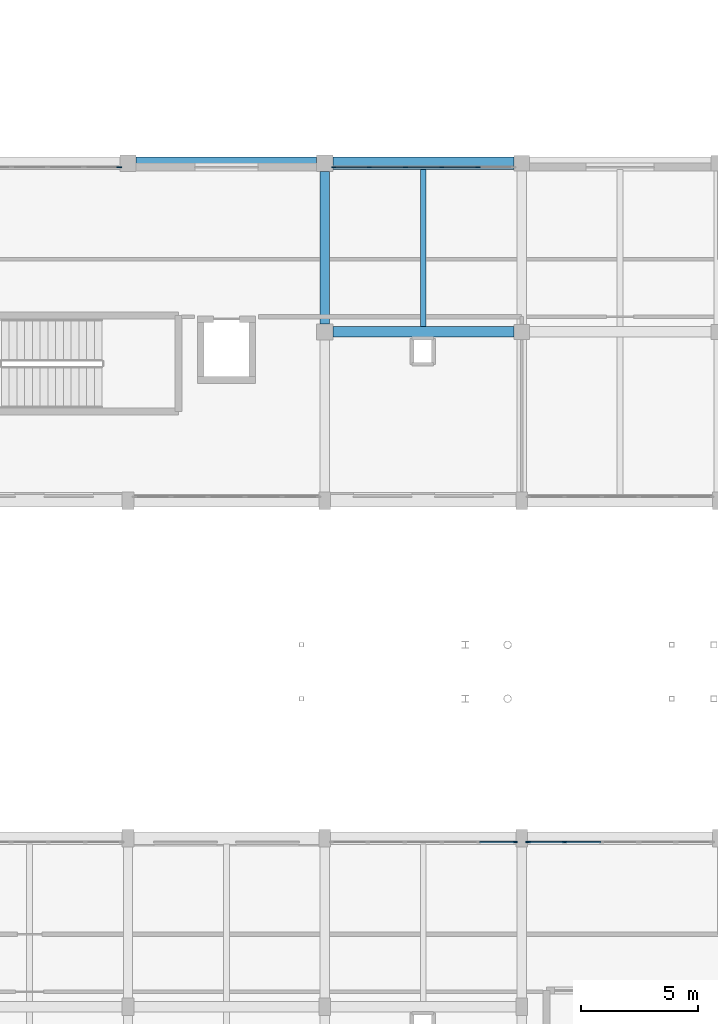
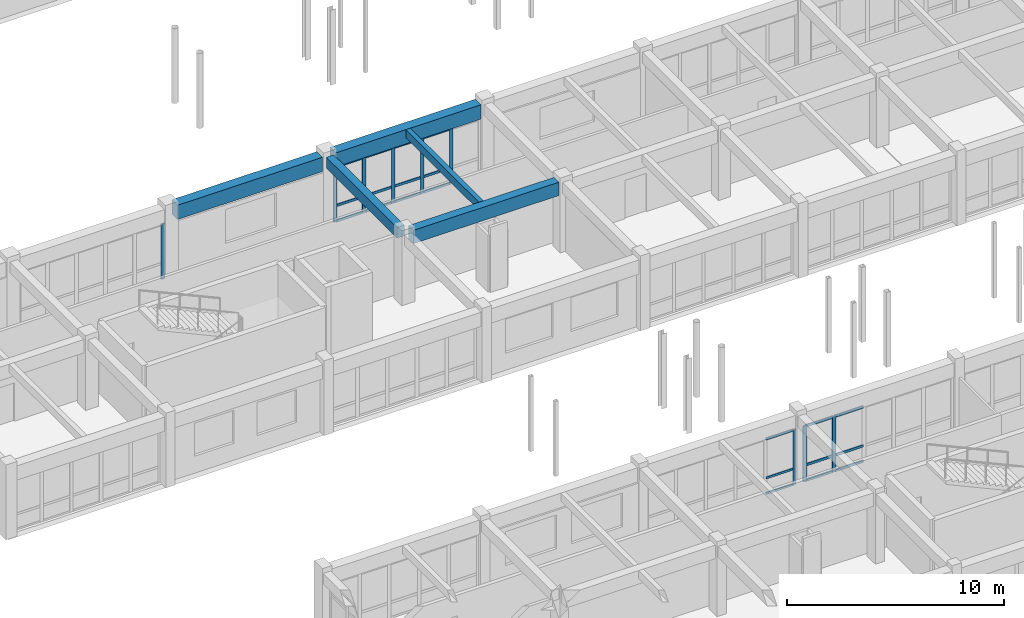
# One storey, part 56 of 147: 30 members, 5 beams, 4 elements without a shape of their own.
"""IFC4 building model written with IfcOpenShell, lengths in metres."""

from ifc_helpers import new_model, si_unit, direction, frame, origin, origin_2d, place, context, subcontext, project, spatial, rectangle, extrude, material, material_profile, profile_set, type_object, element, aggregate, save


model = new_model("IFC4")

# Units and contexts
model_context = context("Model", 3, precision=1e-05, world=origin(), true_north=direction((0.0, 1.0)))
body_context = subcontext(model_context, "Body", "Model", "MODEL_VIEW")
ifc_project = project(units=[si_unit("LENGTHUNIT", "METRE"), si_unit("AREAUNIT", "SQUARE_METRE"), si_unit("VOLUMEUNIT", "CUBIC_METRE"), si_unit("PLANEANGLEUNIT", "RADIAN"), si_unit("MASSUNIT", "GRAM", prefix="KILO")], contexts=[model_context])

# Site, building, storey
site_placement = place(None, origin())
site = spatial("IfcSite", under=ifc_project, at=site_placement, CompositionType="ELEMENT")
building_placement = place(site_placement, origin())
building = spatial("IfcBuilding", under=site, at=building_placement, Name="Malvenik Polytechnic", CompositionType="ELEMENT")
storey_placement = place(building_placement, frame((0.0, 0.0, 5.10009765625)))
storey = spatial("IfcBuildingStorey", under=building, at=storey_placement, Name="L01", CompositionType="ELEMENT", Elevation=5.10009765625)

# Curtain wall, member
ifc_material_1 = material(Name="Anodised aluminium 6060-T6", Category="aluminium")
curtain_wall_type = type_object("IfcCurtainWallType", Name="ARC-CW-CW-02", PredefinedType="NOTDEFINED", material=ifc_material_1)
curtain_wall_1_placement = place(storey_placement, origin())
curtain_wall_1 = element("IfcCurtainWall", 1, at=curtain_wall_1_placement, inside=storey, type_object=curtain_wall_type, Name="Unitised Curtain Wall CW-02 L01 #125", PredefinedType="NOTDEFINED")
ifc_material_2 = material(Name="Anodised aluminium", Category="aluminium")
ifc_material_profile_1 = material_profile(ifc_material_2, rectangle(XDim=0.06005859375, YDim=0.159912109375, at=origin_2d()), Name="ALU MULLION 60x160")
ifc_profile_set_1 = profile_set([ifc_material_profile_1], Name="Anodised aluminium")
member_type_1 = type_object("IfcMemberType", Name="ARC-CWM-160", PredefinedType="MULLION", material=ifc_profile_set_1)
member_1_placement = place(storey_placement, frame((33.322021484375, 64.6298828125, 0.0), z_axis=(0.0, 0.0, 1.0), x_axis=(0.0, 1.0, 0.0)))
member_1 = element("IfcMember", 2, at=member_1_placement, type_object=member_type_1, Name="CW-02 mullion 6", PredefinedType="MULLION", context=body_context, shape_type="SweptSolid", body=[
    extrude(rectangle(XDim=0.06005859375, YDim=0.159912109375, at=origin_2d()), origin(), (0.0, 0.0, 1.0), 3.10986328125),
])

# Curtain wall, members
curtain_wall_2_placement = place(storey_placement, origin())
curtain_wall_2 = element("IfcCurtainWall", 3, at=curtain_wall_2_placement, inside=storey, type_object=curtain_wall_type, Name="Unitised Curtain Wall CW-02 L01 #34", PredefinedType="NOTDEFINED")
ifc_material_profile_2 = material_profile(ifc_material_2, rectangle(XDim=0.06005859375, YDim=0.179931640625, at=origin_2d()), Name="ALU MULLION 60x180")
ifc_profile_set_2 = profile_set([ifc_material_profile_2], Name="Anodised aluminium")
member_type_2 = type_object("IfcMemberType", Name="ARC-CWM-180", PredefinedType="MULLION", material=ifc_profile_set_2)
member_2_placement = place(storey_placement, frame((25.577880859375, 93.429931640625, 0.0), z_axis=(0.0, 0.0, 1.0), x_axis=(0.0, 1.0, 0.0)))
member_2 = element("IfcMember", 4, at=member_2_placement, type_object=member_type_2, Name="CW-02 mullion 1", PredefinedType="MULLION", context=body_context, shape_type="SweptSolid", body=[
    extrude(rectangle(XDim=0.06005859375, YDim=0.179931640625, at=origin_2d()), origin(), (0.0, 0.0, 1.0), 3.10986328125),
])
member_3_placement = place(storey_placement, frame((27.09375, 93.429931640625, 0.0), z_axis=(0.0, 0.0, 1.0), x_axis=(0.0, 1.0, 0.0)))
member_3 = element("IfcMember", 5, at=member_3_placement, type_object=member_type_2, Name="CW-02 mullion 2", PredefinedType="MULLION", context=body_context, shape_type="SweptSolid", body=[
    extrude(rectangle(XDim=0.06005859375, YDim=0.179931640625, at=origin_2d()), origin(), (0.0, 0.0, 1.0), 3.10986328125),
])
member_4_placement = place(storey_placement, frame((28.6396484375, 93.429931640625, 0.0), z_axis=(0.0, 0.0, 1.0), x_axis=(0.0, 1.0, 0.0)))
member_4 = element("IfcMember", 6, at=member_4_placement, type_object=member_type_2, Name="CW-02 mullion 3", PredefinedType="MULLION", context=body_context, shape_type="SweptSolid", body=[
    extrude(rectangle(XDim=0.06005859375, YDim=0.179931640625, at=origin_2d()), origin(), (0.0, 0.0, 1.0), 3.10986328125),
])
member_5_placement = place(storey_placement, frame((30.185302734375, 93.429931640625, 0.0), z_axis=(0.0, 0.0, 1.0), x_axis=(0.0, 1.0, 0.0)))
member_5 = element("IfcMember", 7, at=member_5_placement, type_object=member_type_2, Name="CW-02 mullion 4", PredefinedType="MULLION", context=body_context, shape_type="SweptSolid", body=[
    extrude(rectangle(XDim=0.06005859375, YDim=0.179931640625, at=origin_2d()), origin(), (0.0, 0.0, 1.0), 3.10986328125),
])
member_6_placement = place(storey_placement, frame((31.731201171875, 93.429931640625, 0.0), z_axis=(0.0, 0.0, 1.0), x_axis=(0.0, 1.0, 0.0)))
member_6 = element("IfcMember", 8, at=member_6_placement, type_object=member_type_2, Name="CW-02 mullion 5", PredefinedType="MULLION", context=body_context, shape_type="SweptSolid", body=[
    extrude(rectangle(XDim=0.06005859375, YDim=0.179931640625, at=origin_2d()), origin(), (0.0, 0.0, 1.0), 3.10986328125),
])

# Curtain wall, member
curtain_wall_3_placement = place(storey_placement, origin())
curtain_wall_3 = element("IfcCurtainWall", 9, at=curtain_wall_3_placement, inside=storey, type_object=curtain_wall_type, Name="Unitised Curtain Wall CW-02 L01 #33", PredefinedType="NOTDEFINED")
ifc_material_profile_3 = material_profile(ifc_material_2, rectangle(XDim=0.06005859375, YDim=0.199951171875, at=origin_2d()), Name="ALU MULLION 60x200")
ifc_profile_set_3 = profile_set([ifc_material_profile_3], Name="Anodised aluminium")
member_type_3 = type_object("IfcMemberType", Name="ARC-CWM-200", PredefinedType="MULLION", material=ifc_profile_set_3)
member_7_placement = place(storey_placement, frame((16.422119140625, 93.429931640625, 0.0), z_axis=(0.0, 0.0, 1.0), x_axis=(0.0, 1.0, 0.0)))
member_7 = element("IfcMember", 10, at=member_7_placement, type_object=member_type_3, Name="CW-02 mullion 6", PredefinedType="MULLION", context=body_context, shape_type="SweptSolid", body=[
    extrude(rectangle(XDim=0.06005859375, YDim=0.199951171875, at=origin_2d()), origin(), (0.0, 0.0, 1.0), 3.10986328125),
])
aggregate(curtain_wall_3, [member_7])

# Curtain wall, members
curtain_wall_4_placement = place(storey_placement, origin())
curtain_wall_4 = element("IfcCurtainWall", 11, at=curtain_wall_4_placement, inside=storey, type_object=curtain_wall_type, Name="Unitised Curtain Wall CW-02 L01 #126", PredefinedType="NOTDEFINED")
member_8_placement = place(storey_placement, frame((33.8779296875, 64.6298828125, 0.0), z_axis=(0.0, 0.0, 1.0), x_axis=(0.0, 1.0, 0.0)))
member_8 = element("IfcMember", 12, at=member_8_placement, type_object=member_type_3, Name="CW-02 mullion 1", PredefinedType="MULLION", context=body_context, shape_type="SweptSolid", body=[
    extrude(rectangle(XDim=0.06005859375, YDim=0.199951171875, at=origin_2d()), origin(), (0.0, 0.0, 1.0), 3.10986328125),
])
member_9_placement = place(storey_placement, frame((35.4287109375, 64.6298828125, 0.0), z_axis=(0.0, 0.0, 1.0), x_axis=(0.0, 1.0, 0.0)))
member_9 = element("IfcMember", 13, at=member_9_placement, type_object=member_type_3, Name="CW-02 mullion 2", PredefinedType="MULLION", context=body_context, shape_type="SweptSolid", body=[
    extrude(rectangle(XDim=0.06005859375, YDim=0.199951171875, at=origin_2d()), origin(), (0.0, 0.0, 1.0), 3.10986328125),
])

# Member
ifc_material_profile_4 = material_profile(ifc_material_2, rectangle(XDim=0.06005859375, YDim=0.1201171875, at=origin_2d()), Name="ALU TRANSOM 60x120")
ifc_profile_set_4 = profile_set([ifc_material_profile_4], Name="Anodised aluminium")
member_type_4 = type_object("IfcMemberType", Name="ARC-CWT-120", PredefinedType="USERDEFINED", material=ifc_profile_set_4)
member_10_placement = place(storey_placement, frame((31.80126953125, 64.6298828125, 0.02978515625), z_axis=(1.0, 0.0, 0.0), x_axis=(0.0, 1.0, 0.0)))
member_10 = element("IfcMember", 14, at=member_10_placement, type_object=member_type_4, Name="CW-02 transom 5.1", ObjectType="TRANSOM", PredefinedType="USERDEFINED", context=body_context, shape_type="SweptSolid", body=[
    extrude(rectangle(XDim=0.06005859375, YDim=0.1201171875, at=origin_2d()), origin(), (0.0, 0.0, 1.0), 1.49072265625),
])

member_11_placement = place(storey_placement, frame((31.80126953125, 64.6298828125, 0.89990234375), z_axis=(1.0, 0.0, 0.0), x_axis=(0.0, 1.0, 0.0)))
member_11 = element("IfcMember", 15, at=member_11_placement, type_object=member_type_4, Name="CW-02 transom 5.2", ObjectType="TRANSOM", PredefinedType="USERDEFINED", context=body_context, shape_type="SweptSolid", body=[
    extrude(rectangle(XDim=0.06005859375, YDim=0.1201171875, at=origin_2d()), origin(), (0.0, 0.0, 1.0), 1.49072265625),
])

member_12_placement = place(storey_placement, frame((31.80126953125, 64.6298828125, 3.079833984375), z_axis=(1.0, 0.0, 0.0), x_axis=(0.0, 1.0, 0.0)))
member_12 = element("IfcMember", 16, at=member_12_placement, type_object=member_type_4, Name="CW-02 transom 5.3", ObjectType="TRANSOM", PredefinedType="USERDEFINED", context=body_context, shape_type="SweptSolid", body=[
    extrude(rectangle(XDim=0.06005859375, YDim=0.1201171875, at=origin_2d()), origin(), (0.0, 0.0, 1.0), 1.49072265625),
])

aggregate(curtain_wall_1, [member_1, member_10, member_11, member_12])

ifc_material_profile_5 = material_profile(ifc_material_2, rectangle(XDim=0.06005859375, YDim=0.139892578125, at=origin_2d()), Name="ALU TRANSOM 60x140")
ifc_profile_set_5 = profile_set([ifc_material_profile_5], Name="Anodised aluminium")
member_type_5 = type_object("IfcMemberType", Name="ARC-CWT-140", PredefinedType="USERDEFINED", material=ifc_profile_set_5)
member_13_placement = place(storey_placement, frame((25.60791015625, 93.429931640625, 0.02978515625), z_axis=(1.0, 0.0, 0.0), x_axis=(0.0, 1.0, 0.0)))
member_13 = element("IfcMember", 17, at=member_13_placement, type_object=member_type_5, Name="CW-02 transom 1.1", ObjectType="TRANSOM", PredefinedType="USERDEFINED", context=body_context, shape_type="SweptSolid", body=[
    extrude(rectangle(XDim=0.06005859375, YDim=0.139892578125, at=origin_2d()), origin(), (0.0, 0.0, 1.0), 1.455810546875),
])

member_14_placement = place(storey_placement, frame((25.60791015625, 93.429931640625, 0.89990234375), z_axis=(1.0, 0.0, 0.0), x_axis=(0.0, 1.0, 0.0)))
member_14 = element("IfcMember", 18, at=member_14_placement, type_object=member_type_5, Name="CW-02 transom 1.2", ObjectType="TRANSOM", PredefinedType="USERDEFINED", context=body_context, shape_type="SweptSolid", body=[
    extrude(rectangle(XDim=0.06005859375, YDim=0.139892578125, at=origin_2d()), origin(), (0.0, 0.0, 1.0), 1.455810546875),
])

member_15_placement = place(storey_placement, frame((25.60791015625, 93.429931640625, 3.079833984375), z_axis=(1.0, 0.0, 0.0), x_axis=(0.0, 1.0, 0.0)))
member_15 = element("IfcMember", 19, at=member_15_placement, type_object=member_type_5, Name="CW-02 transom 1.3", ObjectType="TRANSOM", PredefinedType="USERDEFINED", context=body_context, shape_type="SweptSolid", body=[
    extrude(rectangle(XDim=0.06005859375, YDim=0.139892578125, at=origin_2d()), origin(), (0.0, 0.0, 1.0), 1.455810546875),
])

member_16_placement = place(storey_placement, frame((27.123779296875, 93.429931640625, 0.02978515625), z_axis=(1.0, 0.0, 0.0), x_axis=(0.0, 1.0, 0.0)))
member_16 = element("IfcMember", 20, at=member_16_placement, type_object=member_type_5, Name="CW-02 transom 2.1", ObjectType="TRANSOM", PredefinedType="USERDEFINED", context=body_context, shape_type="SweptSolid", body=[
    extrude(rectangle(XDim=0.06005859375, YDim=0.139892578125, at=origin_2d()), origin(), (0.0, 0.0, 1.0), 1.48583984375),
])

member_17_placement = place(storey_placement, frame((27.123779296875, 93.429931640625, 0.89990234375), z_axis=(1.0, 0.0, 0.0), x_axis=(0.0, 1.0, 0.0)))
member_17 = element("IfcMember", 21, at=member_17_placement, type_object=member_type_5, Name="CW-02 transom 2.2", ObjectType="TRANSOM", PredefinedType="USERDEFINED", context=body_context, shape_type="SweptSolid", body=[
    extrude(rectangle(XDim=0.06005859375, YDim=0.139892578125, at=origin_2d()), origin(), (0.0, 0.0, 1.0), 1.48583984375),
])

member_18_placement = place(storey_placement, frame((27.123779296875, 93.429931640625, 3.079833984375), z_axis=(1.0, 0.0, 0.0), x_axis=(0.0, 1.0, 0.0)))
member_18 = element("IfcMember", 22, at=member_18_placement, type_object=member_type_5, Name="CW-02 transom 2.3", ObjectType="TRANSOM", PredefinedType="USERDEFINED", context=body_context, shape_type="SweptSolid", body=[
    extrude(rectangle(XDim=0.06005859375, YDim=0.139892578125, at=origin_2d()), origin(), (0.0, 0.0, 1.0), 1.48583984375),
])

member_19_placement = place(storey_placement, frame((28.669677734375, 93.429931640625, 0.02978515625), z_axis=(1.0, 0.0, 0.0), x_axis=(0.0, 1.0, 0.0)))
member_19 = element("IfcMember", 23, at=member_19_placement, type_object=member_type_5, Name="CW-02 transom 3.1", ObjectType="TRANSOM", PredefinedType="USERDEFINED", context=body_context, shape_type="SweptSolid", body=[
    extrude(rectangle(XDim=0.06005859375, YDim=0.139892578125, at=origin_2d()), origin(), (0.0, 0.0, 1.0), 1.48583984375),
])

member_20_placement = place(storey_placement, frame((28.669677734375, 93.429931640625, 0.89990234375), z_axis=(1.0, 0.0, 0.0), x_axis=(0.0, 1.0, 0.0)))
member_20 = element("IfcMember", 24, at=member_20_placement, type_object=member_type_5, Name="CW-02 transom 3.2", ObjectType="TRANSOM", PredefinedType="USERDEFINED", context=body_context, shape_type="SweptSolid", body=[
    extrude(rectangle(XDim=0.06005859375, YDim=0.139892578125, at=origin_2d()), origin(), (0.0, 0.0, 1.0), 1.48583984375),
])

member_21_placement = place(storey_placement, frame((28.669677734375, 93.429931640625, 3.079833984375), z_axis=(1.0, 0.0, 0.0), x_axis=(0.0, 1.0, 0.0)))
member_21 = element("IfcMember", 25, at=member_21_placement, type_object=member_type_5, Name="CW-02 transom 3.3", ObjectType="TRANSOM", PredefinedType="USERDEFINED", context=body_context, shape_type="SweptSolid", body=[
    extrude(rectangle(XDim=0.06005859375, YDim=0.139892578125, at=origin_2d()), origin(), (0.0, 0.0, 1.0), 1.48583984375),
])

member_22_placement = place(storey_placement, frame((30.21533203125, 93.429931640625, 0.02978515625), z_axis=(1.0, 0.0, 0.0), x_axis=(0.0, 1.0, 0.0)))
member_22 = element("IfcMember", 26, at=member_22_placement, type_object=member_type_5, Name="CW-02 transom 4.1", ObjectType="TRANSOM", PredefinedType="USERDEFINED", context=body_context, shape_type="SweptSolid", body=[
    extrude(rectangle(XDim=0.06005859375, YDim=0.139892578125, at=origin_2d()), origin(), (0.0, 0.0, 1.0), 1.48583984375),
])

member_23_placement = place(storey_placement, frame((30.21533203125, 93.429931640625, 0.89990234375), z_axis=(1.0, 0.0, 0.0), x_axis=(0.0, 1.0, 0.0)))
member_23 = element("IfcMember", 27, at=member_23_placement, type_object=member_type_5, Name="CW-02 transom 4.2", ObjectType="TRANSOM", PredefinedType="USERDEFINED", context=body_context, shape_type="SweptSolid", body=[
    extrude(rectangle(XDim=0.06005859375, YDim=0.139892578125, at=origin_2d()), origin(), (0.0, 0.0, 1.0), 1.48583984375),
])

member_24_placement = place(storey_placement, frame((30.21533203125, 93.429931640625, 3.079833984375), z_axis=(1.0, 0.0, 0.0), x_axis=(0.0, 1.0, 0.0)))
member_24 = element("IfcMember", 28, at=member_24_placement, type_object=member_type_5, Name="CW-02 transom 4.3", ObjectType="TRANSOM", PredefinedType="USERDEFINED", context=body_context, shape_type="SweptSolid", body=[
    extrude(rectangle(XDim=0.06005859375, YDim=0.139892578125, at=origin_2d()), origin(), (0.0, 0.0, 1.0), 1.48583984375),
])

aggregate(curtain_wall_2, [member_2, member_3, member_4, member_5, member_6, member_13, member_14, member_15, member_16, member_17, member_18, member_19, member_20, member_21, member_22, member_23, member_24])

member_25_placement = place(storey_placement, frame((33.907958984375, 64.6298828125, 0.02978515625), z_axis=(1.0, 0.0, 0.0), x_axis=(0.0, 1.0, 0.0)))
member_25 = element("IfcMember", 29, at=member_25_placement, type_object=member_type_5, Name="CW-02 transom 1.1", ObjectType="TRANSOM", PredefinedType="USERDEFINED", context=body_context, shape_type="SweptSolid", body=[
    extrude(rectangle(XDim=0.06005859375, YDim=0.139892578125, at=origin_2d()), origin(), (0.0, 0.0, 1.0), 1.49072265625),
])

member_26_placement = place(storey_placement, frame((33.907958984375, 64.6298828125, 0.89990234375), z_axis=(1.0, 0.0, 0.0), x_axis=(0.0, 1.0, 0.0)))
member_26 = element("IfcMember", 30, at=member_26_placement, type_object=member_type_5, Name="CW-02 transom 1.2", ObjectType="TRANSOM", PredefinedType="USERDEFINED", context=body_context, shape_type="SweptSolid", body=[
    extrude(rectangle(XDim=0.06005859375, YDim=0.139892578125, at=origin_2d()), origin(), (0.0, 0.0, 1.0), 1.49072265625),
])

member_27_placement = place(storey_placement, frame((33.907958984375, 64.6298828125, 3.079833984375), z_axis=(1.0, 0.0, 0.0), x_axis=(0.0, 1.0, 0.0)))
member_27 = element("IfcMember", 31, at=member_27_placement, type_object=member_type_5, Name="CW-02 transom 1.3", ObjectType="TRANSOM", PredefinedType="USERDEFINED", context=body_context, shape_type="SweptSolid", body=[
    extrude(rectangle(XDim=0.06005859375, YDim=0.139892578125, at=origin_2d()), origin(), (0.0, 0.0, 1.0), 1.49072265625),
])

member_28_placement = place(storey_placement, frame((35.458740234375, 64.6298828125, 0.02978515625), z_axis=(1.0, 0.0, 0.0), x_axis=(0.0, 1.0, 0.0)))
member_28 = element("IfcMember", 32, at=member_28_placement, type_object=member_type_5, Name="CW-02 transom 2.1", ObjectType="TRANSOM", PredefinedType="USERDEFINED", context=body_context, shape_type="SweptSolid", body=[
    extrude(rectangle(XDim=0.06005859375, YDim=0.139892578125, at=origin_2d()), origin(), (0.0, 0.0, 1.0), 1.520751953125),
])

member_29_placement = place(storey_placement, frame((35.458740234375, 64.6298828125, 0.89990234375), z_axis=(1.0, 0.0, 0.0), x_axis=(0.0, 1.0, 0.0)))
member_29 = element("IfcMember", 33, at=member_29_placement, type_object=member_type_5, Name="CW-02 transom 2.2", ObjectType="TRANSOM", PredefinedType="USERDEFINED", context=body_context, shape_type="SweptSolid", body=[
    extrude(rectangle(XDim=0.06005859375, YDim=0.139892578125, at=origin_2d()), origin(), (0.0, 0.0, 1.0), 1.520751953125),
])

member_30_placement = place(storey_placement, frame((35.458740234375, 64.6298828125, 3.079833984375), z_axis=(1.0, 0.0, 0.0), x_axis=(0.0, 1.0, 0.0)))
member_30 = element("IfcMember", 34, at=member_30_placement, type_object=member_type_5, Name="CW-02 transom 2.3", ObjectType="TRANSOM", PredefinedType="USERDEFINED", context=body_context, shape_type="SweptSolid", body=[
    extrude(rectangle(XDim=0.06005859375, YDim=0.139892578125, at=origin_2d()), origin(), (0.0, 0.0, 1.0), 1.520751953125),
])

aggregate(curtain_wall_4, [member_8, member_9, member_25, member_26, member_27, member_28, member_29, member_30])

# Beams
ifc_material_3 = material(Name="Concrete C35/45", Category="concrete")
ifc_material_profile_6 = material_profile(ifc_material_3, rectangle(XDim=0.449951171875, YDim=0.75, at=origin_2d()), Name="RC BM 450x750")
ifc_profile_set_6 = profile_set([ifc_material_profile_6], Name="Concrete C35/45")
beam_type_1 = type_object("IfcBeamType", Name="STR-BM-B-03", PredefinedType="BEAM", material=ifc_profile_set_6)
beam_1_placement = place(storey_placement, frame((25.548095703125, 86.39990234375, 3.544921875), z_axis=(1.0, 0.0, 0.0), x_axis=(0.0, 1.0, 0.0)))
element("IfcBeam", 35, at=beam_1_placement, inside=storey, type_object=beam_type_1, Name="Primary Beam B-03 L01 #1058", PredefinedType="BEAM", context=body_context, shape_type="SweptSolid", body=[
    extrude(rectangle(XDim=0.449951171875, YDim=0.75, at=origin_2d()), origin(), (0.0, 0.0, 1.0), 7.72900390625),
])
ifc_material_profile_7 = material_profile(ifc_material_3, rectangle(XDim=0.39990234375, YDim=0.60009765625, at=origin_2d()), Name="RC BM 400x600")
ifc_profile_set_7 = profile_set([ifc_material_profile_7], Name="Concrete C35/45")
beam_type_2 = type_object("IfcBeamType", Name="STR-BM-B-06", PredefinedType="BEAM", material=ifc_profile_set_7)
beam_2_placement = place(storey_placement, frame((25.199951171875, 86.748046875, 3.619873046875), z_axis=(0.0, 1.0, 0.0), x_axis=(-1.0, 0.0, 0.0)))
element("IfcBeam", 36, at=beam_2_placement, inside=storey, type_object=beam_type_2, Name="Transverse Beam B-06 L01 #1142", PredefinedType="BEAM", context=body_context, shape_type="SweptSolid", body=[
    extrude(rectangle(XDim=0.39990234375, YDim=0.60009765625, at=origin_2d()), origin(), (0.0, 0.0, 1.0), 6.50390625),
])
ifc_material_4 = material(Name="Concrete C30/37", Category="concrete")
ifc_material_profile_8 = material_profile(ifc_material_4, rectangle(XDim=0.25, YDim=0.449951171875, at=origin_2d()), Name="RC JST 250x450")
ifc_profile_set_8 = profile_set([ifc_material_profile_8], Name="Concrete C30/37")
beam_type_3 = type_object("IfcBeamType", Name="STR-BM-J-02", PredefinedType="JOIST", material=ifc_profile_set_8)
beam_3_placement = place(storey_placement, frame((29.39990234375, 86.623046875, 3.69482421875), z_axis=(0.0, 1.0, 0.0), x_axis=(-1.0, 0.0, 0.0)))
element("IfcBeam", 37, at=beam_3_placement, inside=storey, type_object=beam_type_3, Name="Secondary Rib Joist J-02 L01 #1259", PredefinedType="JOIST", context=body_context, shape_type="SweptSolid", body=[
    extrude(rectangle(XDim=0.25, YDim=0.449951171875, at=origin_2d()), origin(), (0.0, 0.0, 1.0), 6.718994140625),
])
ifc_material_5 = material(Name="Precast concrete C40/50", Category="concrete")
ifc_material_profile_9 = material_profile(ifc_material_5, rectangle(XDim=0.52001953125, YDim=0.800048828125, at=origin_2d()), Name="PC SPN 520x800")
ifc_profile_set_9 = profile_set([ifc_material_profile_9], Name="Precast concrete C40/50")
beam_type_4 = type_object("IfcBeamType", Name="STR-BM-SP-01", PredefinedType="SPANDREL", material=ifc_profile_set_9)
beam_4_placement = place(storey_placement, frame((17.14794921875, 93.60009765625, 3.52001953125), z_axis=(1.0, 0.0, 0.0), x_axis=(0.0, 1.0, 0.0)))
element("IfcBeam", 38, at=beam_4_placement, inside=storey, type_object=beam_type_4, Name="Primary Beam SP-01 L01 #1071", PredefinedType="SPANDREL", context=body_context, shape_type="SweptSolid", body=[
    extrude(rectangle(XDim=0.52001953125, YDim=0.800048828125, at=origin_2d()), origin(), (0.0, 0.0, 1.0), 7.7041015625),
])
beam_5_placement = place(storey_placement, frame((25.548095703125, 93.60009765625, 3.52001953125), z_axis=(1.0, 0.0, 0.0), x_axis=(0.0, 1.0, 0.0)))
element("IfcBeam", 39, at=beam_5_placement, inside=storey, type_object=beam_type_4, Name="Primary Beam SP-01 L01 #1072", PredefinedType="SPANDREL", context=body_context, shape_type="SweptSolid", body=[
    extrude(rectangle(XDim=0.52001953125, YDim=0.800048828125, at=origin_2d()), origin(), (0.0, 0.0, 1.0), 7.72900390625),
])

save(model, "model.ifc")
